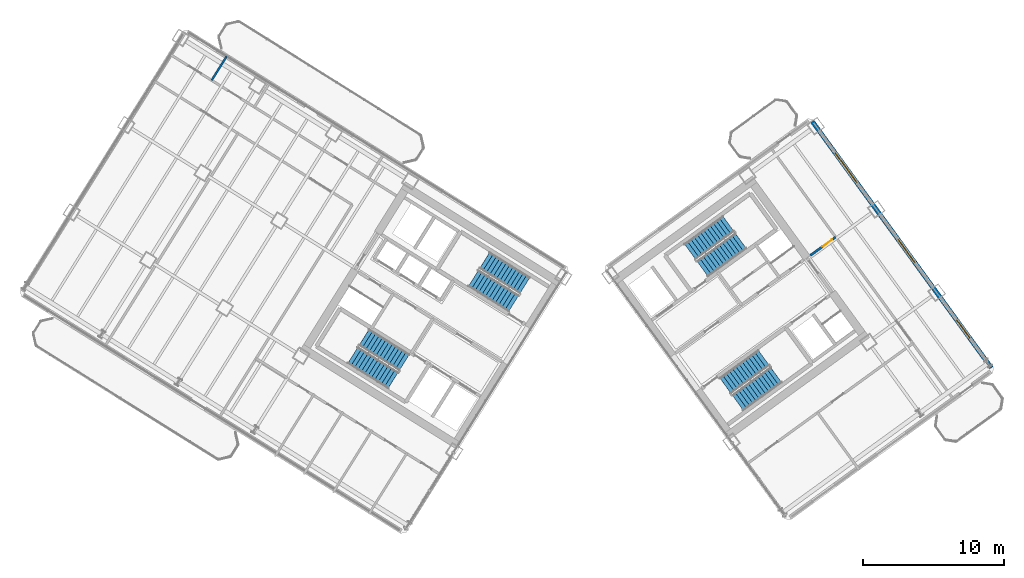
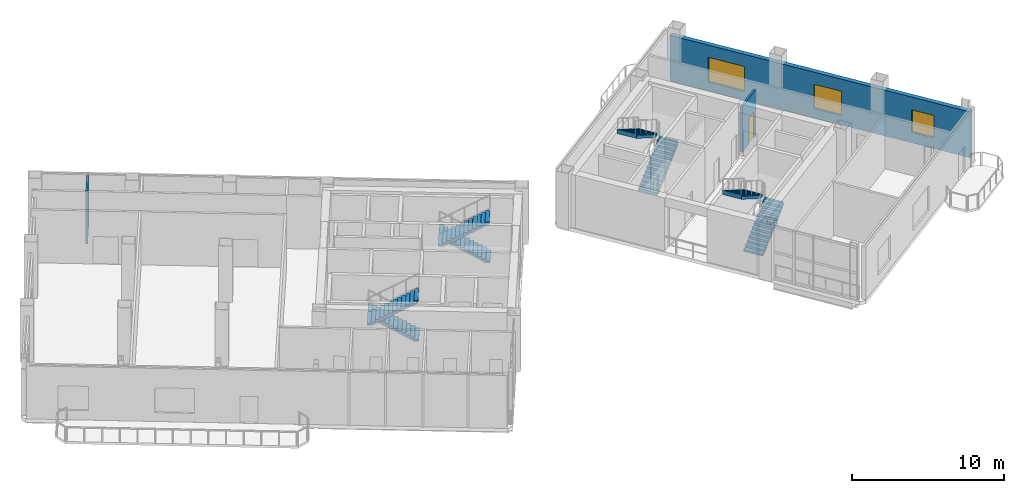
# One storey, part 13 of 18: 8 stair flights, 3 walls, 3 windows, 1 door, 4 openings, 4 elements without a shape of their own.
"""IFC4 building model written with IfcOpenShell, lengths in metres."""

from ifc_helpers import new_model, si_unit, direction, frame, frame_2d, origin, place, context, subcontext, project, spatial, polyline, rectangle, outline, extrude, source, transform, mapped, material, layer, layer_set, type_object, element, fill, aggregate, save


model = new_model("IFC4")

# Units and contexts
model_context = context("Model", 3, precision=1e-05, world=origin(), true_north=direction((0.0, 1.0)))
body_context = subcontext(model_context, "Body", "Model", "MODEL_VIEW")
ifc_project = project(units=[si_unit("LENGTHUNIT", "METRE"), si_unit("AREAUNIT", "SQUARE_METRE"), si_unit("VOLUMEUNIT", "CUBIC_METRE"), si_unit("PLANEANGLEUNIT", "RADIAN"), si_unit("MASSUNIT", "GRAM", prefix="KILO")], contexts=[model_context])

# Site, building, storey
site_placement = place(None, origin())
site = spatial("IfcSite", under=ifc_project, at=site_placement, CompositionType="ELEMENT")
building_placement = place(site_placement, origin())
building = spatial("IfcBuilding", under=site, at=building_placement, Name="Tlacorven Tower", CompositionType="ELEMENT")
storey_placement = place(building_placement, frame((0.0, 0.0, 136.199951171875)))
storey = spatial("IfcBuildingStorey", under=building, at=storey_placement, Name="L34", CompositionType="ELEMENT", Elevation=136.199951171875)

# Wall, opening, door
ifc_material_1 = material(Name="Gypsum plasterboard acoustic partition", Category="gypsum")
ifc_layer_1 = layer(ifc_material_1, 0.159912109375)
ifc_layer_set_1 = layer_set([ifc_layer_1], Name="Gypsum plasterboard acoustic partition")
wall_type_1 = type_object("IfcWallType", Name="WL-DEM-160", PredefinedType="PARTITIONING", material=ifc_layer_set_1)
wall_1_placement = place(storey_placement, frame((58.308349609375, 25.990966796875, 0.0), z_axis=(0.0, 0.0, 1.0), x_axis=(0.80902286611, 0.587777170458, 0.0)))
wall_1 = element("IfcWall", 1, at=wall_1_placement, inside=storey, type_object=wall_type_1, Name="L34 partition 60", PredefinedType="PARTITIONING", context=body_context, shape_type="SweptSolid", body=[
    extrude(rectangle(XDim=2.2080078125, YDim=0.159912109375, at=frame_2d((1.10400390625, 0.0))), origin(), (0.0, 0.0, 1.0), 3.675048828125),
])
opening_1_placement = place(wall_1_placement, frame((1.048095703125, 0.0, 0.0)))
opening_1 = element("IfcOpeningElement", 2, at=opening_1_placement, cuts=wall_1, Name="Opening D19", PredefinedType="OPENING", context=body_context, shape_type="SweptSolid", body=[
    extrude(rectangle(XDim=0.860107421875, YDim=2.050048828125, at=frame_2d((0.43017578125, 1.02490234375))), frame((0.0, 0.08984375, 0.0), z_axis=(0.0, -1.0, 0.0), x_axis=(1.0, 0.0, 0.0)), (0.0, 0.0, 1.0), 0.179931640625),
])
ifc_material_2 = material(Name="Fire-rated steel door assembly", Category="steel")
door_type = type_object("IfcDoorType", Name="DR-RSR-FD60-0860", OperationType="NOTDEFINED", PredefinedType="DOOR", material=ifc_material_2)
shared_shape_1 = source(origin(), body_context, "Body", "SweptSolid", [
    extrude(rectangle(XDim=0.860107421875, YDim=2.050048828125, at=frame_2d((0.43017578125, 1.02490234375))), frame((0.0, 0.02490234375, 0.0), z_axis=(0.0, -1.0, 0.0), x_axis=(1.0, 0.0, 0.0)), (0.0, 0.0, 1.0), 0.050048828125),
])
door_placement = place(opening_1_placement, origin())
door = element("IfcDoor", 3, at=door_placement, inside=storey, type_object=door_type, Name="L34 door 031", OperationType="SINGLE_SWING_RIGHT", OverallHeight=2.050048828125, OverallWidth=0.860107421875, PredefinedType="DOOR", context=body_context, shape_type="MappedRepresentation", body=[
    mapped(shared_shape_1, transform((0.0, 0.0, 0.0), scale=1.0)),
])
fill(opening_1, door)

# Wall, openings, windows
ifc_material_3 = material(Name="Precast concrete C45/55", Category="concrete")
ifc_layer_2 = layer(ifc_material_3, 0.320068359375)
ifc_layer_set_2 = layer_set([ifc_layer_2], Name="Precast concrete C45/55")
wall_type_2 = type_object("IfcWallType", Name="WL-EXT-320", PredefinedType="STANDARD", material=ifc_layer_set_2)
wall_2_placement = place(storey_placement, frame((58.45458984375, 35.483642578125, 0.0), z_axis=(0.0, 0.0, 1.0), x_axis=(0.587783625747, -0.809018176127, 0.0)))
wall_2 = element("IfcWall", 4, at=wall_2_placement, inside=storey, type_object=wall_type_2, Name="L34 Masonry-Frame Recessed Facade Wall 5", PredefinedType="STANDARD", context=body_context, shape_type="SweptSolid", body=[
    extrude(rectangle(XDim=21.58740234375, YDim=0.320068359375, at=frame_2d((10.793701171875, 0.0))), origin(), (0.0, 0.0, 1.0), 3.675048828125),
])
opening_2_placement = place(wall_2_placement, frame((2.74365234375, 0.0, 0.699951171875)))
opening_2 = element("IfcOpeningElement", 5, at=opening_2_placement, cuts=wall_2, Name="Opening WN10", PredefinedType="OPENING", context=body_context, shape_type="SweptSolid", body=[
    extrude(rectangle(XDim=2.60009765625, YDim=2.0, at=frame_2d((1.300048828125, 1.0))), frame((0.0, 0.169921875, 0.0), z_axis=(0.0, -1.0, 0.0), x_axis=(1.0, 0.0, 0.0)), (0.0, 0.0, 1.0), 0.340087890625),
])
opening_3_placement = place(wall_2_placement, frame((10.34375, 0.0, 0.75)))
opening_3 = element("IfcOpeningElement", 6, at=opening_3_placement, cuts=wall_2, Name="Opening WN11", PredefinedType="OPENING", context=body_context, shape_type="SweptSolid", body=[
    extrude(rectangle(XDim=2.0, YDim=1.949951171875, at=frame_2d((1.0, 0.97509765625))), frame((0.0, 0.169921875, 0.0), z_axis=(0.0, -1.0, 0.0), x_axis=(1.0, 0.0, 0.0)), (0.0, 0.0, 1.0), 0.340087890625),
])
opening_4_placement = place(wall_2_placement, frame((17.381103515625, 0.0, 0.85009765625)))
opening_4 = element("IfcOpeningElement", 7, at=opening_4_placement, cuts=wall_2, Name="Opening WN12", PredefinedType="OPENING", context=body_context, shape_type="SweptSolid", body=[
    extrude(rectangle(XDim=1.60009765625, YDim=1.800048828125, at=frame_2d((0.800048828125, 0.89990234375))), frame((0.0, 0.169921875, 0.0), z_axis=(0.0, -1.0, 0.0), x_axis=(1.0, 0.0, 0.0)), (0.0, 0.0, 1.0), 0.340087890625),
])
ifc_material_4 = material(Name="Dark solar low-E double glazing in anodised aluminium frame", Category="aluminium")
window_type_1 = type_object("IfcWindowType", Name="WN-COM-2600X2200", PartitioningType="SINGLE_PANEL", PredefinedType="WINDOW", material=ifc_material_4)
shared_shape_2 = source(origin(), body_context, "Body", "SweptSolid", [
    extrude(rectangle(XDim=2.60009765625, YDim=2.0, at=frame_2d((1.300048828125, 1.0))), frame((0.0, 0.030029296875, 0.0), z_axis=(0.0, -1.0, 0.0), x_axis=(1.0, 0.0, 0.0)), (0.0, 0.0, 1.0), 0.06005859375),
])
window_1_placement = place(opening_2_placement, origin())
window_1 = element("IfcWindow", 8, at=window_1_placement, inside=storey, type_object=window_type_1, Name="L34 Recessed Masonry-Frame Window L34-05.1", OverallHeight=2.0, OverallWidth=2.60009765625, PartitioningType="SINGLE_PANEL", PredefinedType="WINDOW", context=body_context, shape_type="MappedRepresentation", body=[
    mapped(shared_shape_2, transform((0.0, 0.0, 0.0), scale=1.0)),
])
fill(opening_2, window_1)
window_type_2 = type_object("IfcWindowType", Name="WN-COM-1600X1900", PartitioningType="SINGLE_PANEL", PredefinedType="WINDOW", material=ifc_material_4)
shared_shape_3 = source(origin(), body_context, "Body", "SweptSolid", [
    extrude(rectangle(XDim=1.60009765625, YDim=1.800048828125, at=frame_2d((0.800048828125, 0.89990234375))), frame((0.0, 0.030029296875, 0.0), z_axis=(0.0, -1.0, 0.0), x_axis=(1.0, 0.0, 0.0)), (0.0, 0.0, 1.0), 0.06005859375),
])
window_2_placement = place(opening_4_placement, origin())
window_2 = element("IfcWindow", 9, at=window_2_placement, inside=storey, type_object=window_type_2, Name="L34 Recessed Masonry-Frame Window L34-05.3", OverallHeight=1.800048828125, OverallWidth=1.60009765625, PartitioningType="SINGLE_PANEL", PredefinedType="WINDOW", context=body_context, shape_type="MappedRepresentation", body=[
    mapped(shared_shape_3, transform((0.0, 0.0, 0.0), scale=1.0)),
])
fill(opening_4, window_2)
window_type_3 = type_object("IfcWindowType", Name="WN-COM-2000X2100", PartitioningType="SINGLE_PANEL", PredefinedType="WINDOW", material=ifc_material_4)
shared_shape_4 = source(origin(), body_context, "Body", "SweptSolid", [
    extrude(rectangle(XDim=2.0, YDim=1.949951171875, at=frame_2d((1.0, 0.97509765625))), frame((0.0, 0.030029296875, 0.0), z_axis=(0.0, -1.0, 0.0), x_axis=(1.0, 0.0, 0.0)), (0.0, 0.0, 1.0), 0.06005859375),
])
window_3_placement = place(opening_3_placement, origin())
window_3 = element("IfcWindow", 10, at=window_3_placement, inside=storey, type_object=window_type_3, Name="L34 Recessed Masonry-Frame Window L34-05.2", OverallHeight=1.949951171875, OverallWidth=2.0, PartitioningType="SINGLE_PANEL", PredefinedType="WINDOW", context=body_context, shape_type="MappedRepresentation", body=[
    mapped(shared_shape_4, transform((0.0, 0.0, 0.0), scale=1.0)),
])
fill(opening_3, window_3)

# Wall
ifc_material_5 = material(Name="Moisture-resistant gypsum plumbing wall", Category="gypsum")
ifc_layer_3 = layer(ifc_material_5, 0.139892578125)
ifc_layer_set_3 = layer_set([ifc_layer_3], Name="Moisture-resistant gypsum plumbing wall")
wall_type_3 = type_object("IfcWallType", Name="WL-PLM-140", PredefinedType="PLUMBINGWALL", material=ifc_layer_set_3)
wall_3_placement = place(storey_placement, frame((16.89501953125, 40.102783203125, 0.0), z_axis=(0.0, 0.0, 1.0), x_axis=(-0.529867272195, -0.848080582172, 0.0)))
element("IfcWall", 11, at=wall_3_placement, inside=storey, type_object=wall_type_3, Name="L34 partition 51", PredefinedType="PLUMBINGWALL", context=body_context, shape_type="SweptSolid", body=[
    extrude(rectangle(XDim=2.000244140625, YDim=0.139892578125, at=frame_2d((1.0, 0.0))), origin(), (0.0, 0.0, 1.0), 4.239990234375),
])

# Stair, stair flights
ifc_material_6 = material(Name="Concrete C40/50", Category="concrete")
stair_type = type_object("IfcStairType", Name="ST-CORE-DLG", PredefinedType="HALF_TURN_STAIR", material=ifc_material_6)
stair_1_placement = place(storey_placement, origin())
stair_1 = element("IfcStair", 12, at=stair_1_placement, inside=storey, type_object=stair_type, Name="L34 Protected Exit Stair West 1", PredefinedType="HALF_TURN_STAIR")
stair_flight_type = type_object("IfcStairFlightType", Name="SFL-RC-1380", PredefinedType="STRAIGHT", material=ifc_material_6)
shared_shape_5 = source(origin(), body_context, "Body", "SweptSolid", [
    extrude(outline(polyline([(-0.0029296875, -0.0029296875), (-0.0029296875, 0.173095703125), (0.280029296875, 0.173095703125), (0.280029296875, 0.34619140625), (0.56005859375, 0.34619140625), (0.56005859375, 0.519287109375), (0.840087890625, 0.519287109375), (0.840087890625, 0.6923828125), (1.1201171875, 0.6923828125), (1.1201171875, 0.865478515625), (1.39990234375, 0.865478515625), (1.39990234375, 1.03857421875), (1.679931640625, 1.03857421875), (1.679931640625, 1.21142578125), (1.9599609375, 1.21142578125), (1.9599609375, 1.384521484375), (2.239990234375, 1.384521484375), (2.239990234375, 1.5576171875), (2.52001953125, 1.5576171875), (2.52001953125, 1.730712890625), (2.800048828125, 1.730712890625), (2.800048828125, 1.90380859375), (3.080078125, 1.90380859375), (3.080078125, 2.076904296875), (3.360107421875, 2.076904296875), (3.360107421875, 2.25), (3.363037109375, 2.25), (3.363037109375, 1.888916015625), (3.360107421875, 1.888916015625), (0.30419921875, 0.0), (0.30419921875, -0.0029296875), (-0.0029296875, -0.0029296875)])), frame((0.0, 0.68994140625, 0.0), z_axis=(0.0, -1.0, 0.0), x_axis=(1.0, 0.0, 0.0)), (0.0, 0.0, 1.0), 1.3798828125),
])
stair_flight_1_placement = place(storey_placement, frame((29.499755859375, 18.39453125, 0.0), z_axis=(0.0, 0.0, 1.0), x_axis=(-0.848048096156, 0.529919264233, 0.0)))
stair_flight_1 = element("IfcStairFlight", 13, at=stair_flight_1_placement, type_object=stair_flight_type, Name="ST-W1 flight 1", NumberOfRisers=13, NumberOfTreads=12, PredefinedType="STRAIGHT", RiserHeight=0.173076923, TreadLength=0.28, context=body_context, shape_type="MappedRepresentation", body=[
    mapped(shared_shape_5, transform((0.0, 0.0, 0.0), scale=1.0)),
])
stair_flight_2_placement = place(storey_placement, frame((25.85546875, 18.903076171875, 2.25), z_axis=(0.0, 0.0, 1.0), x_axis=(0.848048096156, -0.529919264233, 0.0)))
stair_flight_2 = element("IfcStairFlight", 14, at=stair_flight_2_placement, type_object=stair_flight_type, Name="ST-W1 flight 2", NumberOfRisers=13, NumberOfTreads=12, PredefinedType="STRAIGHT", RiserHeight=0.173076923, TreadLength=0.28, context=body_context, shape_type="MappedRepresentation", body=[
    mapped(shared_shape_5, transform((0.0, 0.0, 0.0), scale=1.0)),
])
aggregate(stair_1, [stair_flight_1, stair_flight_2])

stair_2_placement = place(storey_placement, origin())
stair_2 = element("IfcStair", 15, at=stair_2_placement, inside=storey, type_object=stair_type, Name="L34 Protected Exit Stair West 2", PredefinedType="HALF_TURN_STAIR")
stair_flight_3_placement = place(storey_placement, frame((38.051513671875, 23.852294921875, 0.0), z_axis=(0.0, 0.0, 1.0), x_axis=(-0.848048096156, 0.529919264233, 0.0)))
stair_flight_3 = element("IfcStairFlight", 16, at=stair_flight_3_placement, type_object=stair_flight_type, Name="ST-W2 flight 1", NumberOfRisers=13, NumberOfTreads=12, PredefinedType="STRAIGHT", RiserHeight=0.173076923, TreadLength=0.28, context=body_context, shape_type="MappedRepresentation", body=[
    mapped(shared_shape_5, transform((0.0, 0.0, 0.0), scale=1.0)),
])
stair_flight_4_placement = place(storey_placement, frame((34.406982421875, 24.36083984375, 2.25), z_axis=(0.0, 0.0, 1.0), x_axis=(0.848048096156, -0.529919264233, 0.0)))
stair_flight_4 = element("IfcStairFlight", 17, at=stair_flight_4_placement, type_object=stair_flight_type, Name="ST-W2 flight 2", NumberOfRisers=13, NumberOfTreads=12, PredefinedType="STRAIGHT", RiserHeight=0.173076923, TreadLength=0.28, context=body_context, shape_type="MappedRepresentation", body=[
    mapped(shared_shape_5, transform((0.0, 0.0, 0.0), scale=1.0)),
])
aggregate(stair_2, [stair_flight_3, stair_flight_4])

stair_3_placement = place(storey_placement, origin())
stair_3 = element("IfcStair", 18, at=stair_3_placement, inside=storey, type_object=stair_type, Name="L34 Protected Exit Stair East 1", PredefinedType="HALF_TURN_STAIR")
stair_flight_5_placement = place(storey_placement, frame((50.6533203125, 25.0400390625, 0.0), z_axis=(0.0, 0.0, 1.0), x_axis=(0.809016994375, 0.587785252292, 0.0)))
stair_flight_5 = element("IfcStairFlight", 19, at=stair_flight_5_placement, type_object=stair_flight_type, Name="ST-E1 flight 1", NumberOfRisers=13, NumberOfTreads=12, PredefinedType="STRAIGHT", RiserHeight=0.173076923, TreadLength=0.28, context=body_context, shape_type="MappedRepresentation", body=[
    mapped(shared_shape_5, transform((0.0, 0.0, 0.0), scale=1.0)),
])
stair_flight_6_placement = place(storey_placement, frame((52.489990234375, 28.228515625, 2.25), z_axis=(0.0, 0.0, 1.0), x_axis=(-0.809016994375, -0.587785252292, 0.0)))
stair_flight_6 = element("IfcStairFlight", 20, at=stair_flight_6_placement, type_object=stair_flight_type, Name="ST-E1 flight 2", NumberOfRisers=13, NumberOfTreads=12, PredefinedType="STRAIGHT", RiserHeight=0.173076923, TreadLength=0.28, context=body_context, shape_type="MappedRepresentation", body=[
    mapped(shared_shape_5, transform((0.0, 0.0, 0.0), scale=1.0)),
])
aggregate(stair_3, [stair_flight_5, stair_flight_6])

stair_4_placement = place(storey_placement, origin())
stair_4 = element("IfcStair", 21, at=stair_4_placement, inside=storey, type_object=stair_type, Name="L34 Protected Exit Stair East 2", PredefinedType="HALF_TURN_STAIR")
stair_flight_7_placement = place(storey_placement, frame((53.157470703125, 15.536865234375, 0.0), z_axis=(0.0, 0.0, 1.0), x_axis=(0.809016994375, 0.587785252292, 0.0)))
stair_flight_7 = element("IfcStairFlight", 22, at=stair_flight_7_placement, type_object=stair_flight_type, Name="ST-E2 flight 1", NumberOfRisers=13, NumberOfTreads=12, PredefinedType="STRAIGHT", RiserHeight=0.173076923, TreadLength=0.28, context=body_context, shape_type="MappedRepresentation", body=[
    mapped(shared_shape_5, transform((0.0, 0.0, 0.0), scale=1.0)),
])
stair_flight_8_placement = place(storey_placement, frame((54.994140625, 18.725341796875, 2.25), z_axis=(0.0, 0.0, 1.0), x_axis=(-0.809016994375, -0.587785252292, 0.0)))
stair_flight_8 = element("IfcStairFlight", 23, at=stair_flight_8_placement, type_object=stair_flight_type, Name="ST-E2 flight 2", NumberOfRisers=13, NumberOfTreads=12, PredefinedType="STRAIGHT", RiserHeight=0.173076923, TreadLength=0.28, context=body_context, shape_type="MappedRepresentation", body=[
    mapped(shared_shape_5, transform((0.0, 0.0, 0.0), scale=1.0)),
])
aggregate(stair_4, [stair_flight_7, stair_flight_8])

save(model, "model.ifc")
